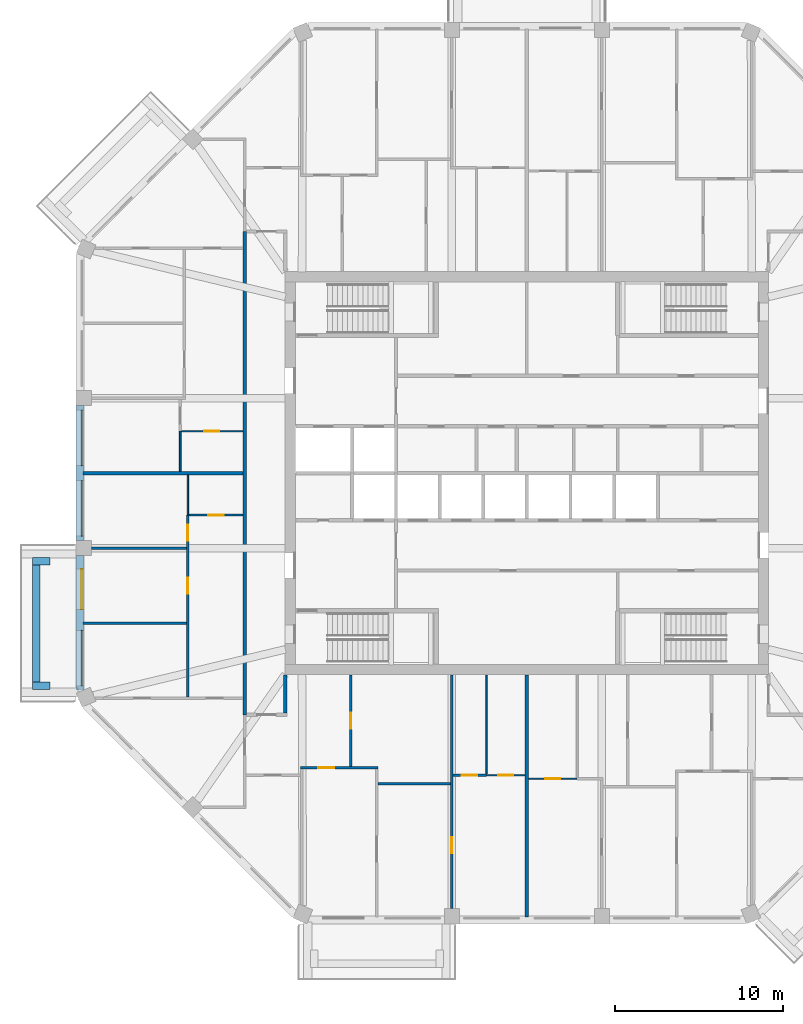
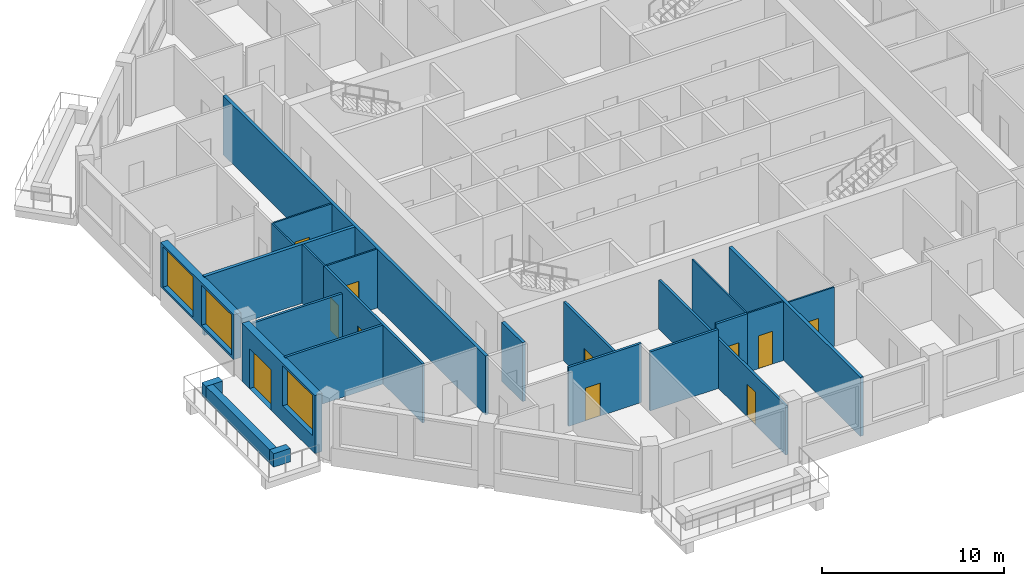
# One storey, part 3 of 11: 24 walls, 11 doors, 3 windows, 14 openings.
"""IFC4 building model written with IfcOpenShell, lengths in metres."""

from ifc_helpers import new_model, si_unit, direction, frame, frame_2d, origin, place, context, subcontext, project, spatial, rectangle, extrude, material, layer, layer_set, type_object, element, fill, save


model = new_model("IFC4")

# Units and contexts
model_context = context("Model", 3, precision=1e-05, world=origin(), true_north=direction((0.0, 1.0)))
body_context = subcontext(model_context, "Body", "Model", "MODEL_VIEW")
ifc_project = project(units=[si_unit("LENGTHUNIT", "METRE"), si_unit("AREAUNIT", "SQUARE_METRE"), si_unit("VOLUMEUNIT", "CUBIC_METRE"), si_unit("PLANEANGLEUNIT", "RADIAN"), si_unit("MASSUNIT", "GRAM", prefix="KILO")], contexts=[model_context])

# Site, building, storey
site_placement = place(None, origin())
site = spatial("IfcSite", under=ifc_project, at=site_placement, CompositionType="ELEMENT")
building_placement = place(site_placement, origin())
building = spatial("IfcBuilding", under=site, at=building_placement, Name="Msitu Wima Residences", CompositionType="ELEMENT")
storey_placement = place(building_placement, frame((0.0, 0.0, 234.89990234375)))
storey = spatial("IfcBuildingStorey", under=building, at=storey_placement, Name="L54", CompositionType="ELEMENT", Elevation=234.89990234375)

# Walls
ifc_material_1 = material(Name="Facing brick")
ifc_layer_1 = layer(ifc_material_1, 0.06494140625, Name="Facing brick")
ifc_material_2 = material(Name="Concrete C40/50", Category="concrete")
ifc_layer_2 = layer(ifc_material_2, 0.156005859375, Name="Concrete C40/50")
ifc_material_3 = material(Name="Waterproofing membrane")
ifc_layer_3 = layer(ifc_material_3, 0.00390625, Name="Waterproofing membrane")
ifc_material_4 = material(Name="Planting soil and planting")
ifc_layer_4 = layer(ifc_material_4, 0.22509765625, Name="Planting soil and planting")
ifc_layer_set_1 = layer_set([ifc_layer_1, ifc_layer_2, ifc_layer_3, ifc_layer_4], Name="Concrete C40/50")
wall_type_1 = type_object("IfcWallType", Name="Balcony planter PLANTER PL450", PredefinedType="USERDEFINED", material=ifc_layer_set_1)
wall_1_placement = place(storey_placement, frame((-29.22509765625, -5.468505859375, 0.0), z_axis=(0.0, 0.0, 1.0), x_axis=(0.0, -1.0, 0.0)))
element("IfcWall", 1, at=wall_1_placement, inside=storey, type_object=wall_type_1, Name="Balcony planter W2 L54", ObjectType="PLANTER", PredefinedType="USERDEFINED", context=body_context, shape_type="SweptSolid", body=[
    extrude(rectangle(XDim=6.9873046875, YDim=0.449951171875, at=frame_2d((3.49365234375, 0.0))), origin(), (0.0, 0.0, 1.0), 0.900146484375),
])
for number, where, z_axis, x_axis, name in (
    (2, (-28.39990234375, -5.24365234375, 0.0), (0.0, 0.0, 1.0), (-1.0, 0.0, 0.0), "Balcony planter W2 L54"),
    (3, (-28.39990234375, -12.680908203125, 0.0), (0.0, 0.0, 1.0), (-1.0, 0.0, 0.0), "Balcony planter W2 L54"),
):
    element("IfcWall", number, at=place(storey_placement, frame(where, z_axis=z_axis, x_axis=x_axis)), inside=storey, type_object=wall_type_1, Name=name, ObjectType="PLANTER", PredefinedType="USERDEFINED", context=body_context, shape_type="SweptSolid", body=[
        extrude(rectangle(XDim=1.050048828125, YDim=0.449951171875, at=frame_2d((0.52490234375, 0.0))), origin(), (0.0, 0.0, 1.0), 0.900146484375),
    ])

# Wall, openings, windows
ifc_material_5 = material(Name="Brick (red buff mix)", Category="masonry")
ifc_layer_5 = layer(ifc_material_5, 0.449951171875)
ifc_layer_set_2 = layer_set([ifc_layer_5], Name="Brick (red buff mix)")
wall_type_2 = type_object("IfcWallType", Name="Brick infill wall BW450", PredefinedType="SOLIDWALL", material=ifc_layer_set_2)
wall_2_placement = place(storey_placement, frame((-26.625, 4.0185546875, 0.900146484375), z_axis=(0.0, 0.0, 1.0), x_axis=(0.0, -1.0, 0.0)))
wall_2 = element("IfcWall", 4, at=wall_2_placement, inside=storey, type_object=wall_type_2, Name="Brick infill wall L54 W1", PredefinedType="SOLIDWALL", context=body_context, shape_type="SweptSolid", body=[
    extrude(rectangle(XDim=8.037109375, YDim=0.449951171875, at=frame_2d((4.0185546875, 0.0))), origin(), (0.0, 0.0, 1.0), 3.0),
])
opening_1_placement = place(wall_2_placement, frame((0.2685546875, 0.0, 0.14990234375)))
opening_1 = element("IfcOpeningElement", 5, at=opening_1_placement, cuts=wall_2, Name="Opening W52-54.031", PredefinedType="OPENING", context=body_context, shape_type="SweptSolid", body=[
    extrude(rectangle(XDim=3.300048828125, YDim=2.699951171875, at=frame_2d((1.64990234375, 1.35009765625))), frame((0.0, 0.23486328125, 0.0), z_axis=(0.0, -1.0, 0.0), x_axis=(1.0, 0.0, 0.0)), (0.0, 0.0, 1.0), 0.469970703125),
])
opening_2_placement = place(wall_2_placement, frame((4.46875, 0.0, 0.14990234375)))
opening_2 = element("IfcOpeningElement", 6, at=opening_2_placement, cuts=wall_2, Name="Opening W52-54.032", PredefinedType="OPENING", context=body_context, shape_type="SweptSolid", body=[
    extrude(rectangle(XDim=3.300048828125, YDim=2.699951171875, at=frame_2d((1.64990234375, 1.35009765625))), frame((0.0, 0.23486328125, 0.0), z_axis=(0.0, -1.0, 0.0), x_axis=(1.0, 0.0, 0.0)), (0.0, 0.0, 1.0), 0.469970703125),
])
ifc_material_6 = material(Name="Anodised aluminium, bronze finish, clear low-emissivity double glazing", Category="aluminium")
window_type = type_object("IfcWindowType", Name="Window W3300x2700", PartitioningType="DOUBLE_PANEL_VERTICAL", PredefinedType="WINDOW", material=ifc_material_6)
window_1_placement = place(opening_1_placement, origin())
window_1 = element("IfcWindow", 7, at=window_1_placement, inside=storey, type_object=window_type, Name="Window L54 W1.1", OverallHeight=2.699951171875, OverallWidth=3.300048828125, PartitioningType="SINGLE_PANEL", PredefinedType="WINDOW", context=body_context, shape_type="SweptSolid", body=[
    extrude(rectangle(XDim=3.300048828125, YDim=2.699951171875, at=frame_2d((1.64990234375, 1.35009765625))), frame((0.0, 0.135009765625, 0.0), z_axis=(0.0, -1.0, 0.0), x_axis=(1.0, 0.0, 0.0)), (0.0, 0.0, 1.0), 0.06005859375),
])
fill(opening_1, window_1)
window_2_placement = place(opening_2_placement, origin())
window_2 = element("IfcWindow", 8, at=window_2_placement, inside=storey, type_object=window_type, Name="Window L54 W1.2", OverallHeight=2.699951171875, OverallWidth=3.300048828125, PartitioningType="SINGLE_PANEL", PredefinedType="WINDOW", context=body_context, shape_type="SweptSolid", body=[
    extrude(rectangle(XDim=3.300048828125, YDim=2.699951171875, at=frame_2d((1.64990234375, 1.35009765625))), frame((0.0, 0.135009765625, 0.0), z_axis=(0.0, -1.0, 0.0), x_axis=(1.0, 0.0, 0.0)), (0.0, 0.0, 1.0), 0.06005859375),
])
fill(opening_2, window_2)

# Wall, openings, door, window
wall_3_placement = place(storey_placement, frame((-26.625, -4.918701171875, 0.0), z_axis=(0.0, 0.0, 1.0), x_axis=(0.0, -1.0, 0.0)))
wall_3 = element("IfcWall", 9, at=wall_3_placement, inside=storey, type_object=wall_type_2, Name="Brick infill wall L54 W2", PredefinedType="SOLIDWALL", context=body_context, shape_type="SweptSolid", body=[
    extrude(rectangle(XDim=8.0, YDim=0.449951171875, at=frame_2d((4.0, 0.0))), origin(), (0.0, 0.0, 1.0), 3.900146484375),
])
opening_3_placement = place(wall_3_placement, frame((0.800048828125, 0.0, 0.0)))
opening_3 = element("IfcOpeningElement", 10, at=opening_3_placement, cuts=wall_3, Name="Opening D52-54.007", PredefinedType="OPENING", context=body_context, shape_type="SweptSolid", body=[
    extrude(rectangle(XDim=2.39990234375, YDim=2.699951171875, at=frame_2d((1.199951171875, 1.35009765625))), frame((0.0, 0.23486328125, 0.0), z_axis=(0.0, -1.0, 0.0), x_axis=(1.0, 0.0, 0.0)), (0.0, 0.0, 1.0), 0.469970703125),
])
opening_4_placement = place(wall_3_placement, frame((4.4501953125, 0.0, 1.050048828125)))
opening_4 = element("IfcOpeningElement", 11, at=opening_4_placement, cuts=wall_3, Name="Opening W52-54.033", PredefinedType="OPENING", context=body_context, shape_type="SweptSolid", body=[
    extrude(rectangle(XDim=3.300048828125, YDim=2.699951171875, at=frame_2d((1.64990234375, 1.35009765625))), frame((0.0, 0.23486328125, 0.0), z_axis=(0.0, -1.0, 0.0), x_axis=(1.0, 0.0, 0.0)), (0.0, 0.0, 1.0), 0.469970703125),
])
door_type_1 = type_object("IfcDoorType", Name="Balcony door D2400x2700", OperationType="SLIDING_TO_LEFT", PredefinedType="DOOR", material=ifc_material_6)
door_1_placement = place(opening_3_placement, origin())
door_1 = element("IfcDoor", 12, at=door_1_placement, inside=storey, type_object=door_type_1, Name="Balcony door L54 W2", OperationType="SINGLE_SWING_LEFT", OverallHeight=2.699951171875, OverallWidth=2.39990234375, PredefinedType="DOOR", context=body_context, shape_type="SweptSolid", body=[
    extrude(rectangle(XDim=2.39990234375, YDim=2.699951171875, at=frame_2d((1.199951171875, 1.35009765625))), frame((0.0, 0.1298828125, 0.0), z_axis=(0.0, -1.0, 0.0), x_axis=(1.0, 0.0, 0.0)), (0.0, 0.0, 1.0), 0.050048828125),
])
fill(opening_3, door_1)
window_3_placement = place(opening_4_placement, origin())
window_3 = element("IfcWindow", 13, at=window_3_placement, inside=storey, type_object=window_type, Name="Window L54 W2.2", OverallHeight=2.699951171875, OverallWidth=3.300048828125, PartitioningType="SINGLE_PANEL", PredefinedType="WINDOW", context=body_context, shape_type="SweptSolid", body=[
    extrude(rectangle(XDim=3.300048828125, YDim=2.699951171875, at=frame_2d((1.64990234375, 1.35009765625))), frame((0.0, 0.135009765625, 0.0), z_axis=(0.0, -1.0, 0.0), x_axis=(1.0, 0.0, 0.0)), (0.0, 0.0, 1.0), 0.06005859375),
])
fill(opening_4, window_3)

# Walls
ifc_material_7 = material(Name="Plaster")
ifc_layer_6 = layer(ifc_material_7, 0.011962890625, Name="Plaster")
ifc_material_8 = material(Name="Concrete blockwork", Category="masonry")
ifc_layer_7 = layer(ifc_material_8, 0.176025390625, Name="Concrete blockwork")
ifc_layer_8 = layer(ifc_material_7, 0.011962890625, Name="Plaster")
ifc_layer_set_3 = layer_set([ifc_layer_6, ifc_layer_7, ifc_layer_8], Name="Concrete blockwork")
wall_type_3 = type_object("IfcWallType", Name="Corridor wall FW200", PredefinedType="PARTITIONING", material=ifc_layer_set_3)
wall_4_placement = place(storey_placement, frame((-16.800048828125, -14.39990234375, 0.0), z_axis=(0.0, 0.0, 1.0), x_axis=(0.0, 1.0, 0.0)))
element("IfcWall", 14, at=wall_4_placement, inside=storey, type_object=wall_type_3, Name="Corridor wall", PredefinedType="PARTITIONING", context=body_context, shape_type="SweptSolid", body=[
    extrude(rectangle(XDim=28.7998046875, YDim=0.199951171875, at=frame_2d((14.39990234375, 0.0))), origin(), (0.0, 0.0, 1.0), 3.9501953125),
])
wall_5_placement = place(storey_placement, frame((-14.39990234375, -14.300048828125, 0.0), z_axis=(0.0, 0.0, 1.0), x_axis=(0.0, 1.0, 0.0)))
element("IfcWall", 15, at=wall_5_placement, inside=storey, type_object=wall_type_3, Name="Corridor wall", PredefinedType="PARTITIONING", context=body_context, shape_type="SweptSolid", body=[
    extrude(rectangle(XDim=2.27001953125, YDim=0.199951171875, at=frame_2d((1.135009765625, 0.0))), origin(), (0.0, 0.0, 1.0), 3.9501953125),
])
ifc_layer_9 = layer(ifc_material_7, 0.011962890625, Name="Plaster")
ifc_layer_10 = layer(ifc_material_8, 0.1259765625, Name="Concrete blockwork")
ifc_layer_11 = layer(ifc_material_7, 0.011962890625, Name="Plaster")
ifc_layer_set_4 = layer_set([ifc_layer_9, ifc_layer_10, ifc_layer_11], Name="Concrete blockwork")
wall_type_4 = type_object("IfcWallType", Name="Partition PW150", PredefinedType="PARTITIONING", material=ifc_layer_set_4)
wall_6_placement = place(storey_placement, frame((-26.455078125, -8.937255859375, 0.0), z_axis=(0.0, 0.0, 1.0), x_axis=(1.0, 0.0, 0.0)))
element("IfcWall", 16, at=wall_6_placement, inside=storey, type_object=wall_type_4, Name="Partition", PredefinedType="PARTITIONING", context=body_context, shape_type="SweptSolid", body=[
    extrude(rectangle(XDim=6.18017578125, YDim=0.14990234375, at=frame_2d((3.090087890625, 0.0))), origin(), (0.0, 0.0, 1.0), 3.9501953125),
])
wall_7_placement = place(storey_placement, frame((-25.949951171875, -4.46875, 0.0), z_axis=(0.0, 0.0, 1.0), x_axis=(1.0, 0.0, 0.0)))
element("IfcWall", 17, at=wall_7_placement, inside=storey, type_object=wall_type_4, Name="Partition", PredefinedType="PARTITIONING", context=body_context, shape_type="SweptSolid", body=[
    extrude(rectangle(XDim=5.675048828125, YDim=0.14990234375, at=frame_2d((2.83740234375, 0.0))), origin(), (0.0, 0.0, 1.0), 3.35009765625),
])

# Wall, openings, doors
wall_8_placement = place(storey_placement, frame((-20.199951171875, -13.330810546875, 0.0), z_axis=(0.0, 0.0, 1.0), x_axis=(0.0, 1.0, 0.0)))
wall_8 = element("IfcWall", 18, at=wall_8_placement, inside=storey, type_object=wall_type_4, Name="Partition", PredefinedType="PARTITIONING", context=body_context, shape_type="SweptSolid", body=[
    extrude(rectangle(XDim=10.830810546875, YDim=0.14990234375, at=frame_2d((5.41552734375, 0.0))), origin(), (0.0, 0.0, 1.0), 3.9501953125),
])
opening_5_placement = place(wall_8_placement, frame((9.300048828125, 0.0, 0.0)))
opening_5 = element("IfcOpeningElement", 19, at=opening_5_placement, cuts=wall_8, Name="Opening D52-54.048", PredefinedType="OPENING", context=body_context, shape_type="SweptSolid", body=[
    extrude(rectangle(XDim=0.949951171875, YDim=2.199951171875, at=frame_2d((0.47509765625, 1.10009765625))), frame((0.0, 0.0849609375, 0.0), z_axis=(0.0, -1.0, 0.0), x_axis=(1.0, 0.0, 0.0)), (0.0, 0.0, 1.0), 0.169921875),
])
opening_6_placement = place(wall_8_placement, frame((6.14990234375, 0.0, 0.0)))
opening_6 = element("IfcOpeningElement", 20, at=opening_6_placement, cuts=wall_8, Name="Opening D52-54.049", PredefinedType="OPENING", context=body_context, shape_type="SweptSolid", body=[
    extrude(rectangle(XDim=0.949951171875, YDim=2.199951171875, at=frame_2d((0.47509765625, 1.10009765625))), frame((0.0, 0.0849609375, 0.0), z_axis=(0.0, -1.0, 0.0), x_axis=(1.0, 0.0, 0.0)), (0.0, 0.0, 1.0), 0.169921875),
])
ifc_material_9 = material(Name="Timber flush door", Category="wood")
door_type_2 = type_object("IfcDoorType", Name="Room door D12 950x2200", OperationType="SINGLE_SWING_LEFT", PredefinedType="DOOR", material=ifc_material_9)
door_2_placement = place(opening_5_placement, origin())
door_2 = element("IfcDoor", 21, at=door_2_placement, inside=storey, type_object=door_type_2, Name="Room door", OperationType="SINGLE_SWING_LEFT", OverallHeight=2.199951171875, OverallWidth=0.949951171875, PredefinedType="DOOR", context=body_context, shape_type="SweptSolid", body=[
    extrude(rectangle(XDim=0.949951171875, YDim=2.199951171875, at=frame_2d((0.47509765625, 1.10009765625))), frame((0.0, 0.02490234375, 0.0), z_axis=(0.0, -1.0, 0.0), x_axis=(1.0, 0.0, 0.0)), (0.0, 0.0, 1.0), 0.050048828125),
])
fill(opening_5, door_2)
door_3_placement = place(opening_6_placement, origin())
door_3 = element("IfcDoor", 22, at=door_3_placement, inside=storey, type_object=door_type_2, Name="Room door", OperationType="SINGLE_SWING_LEFT", OverallHeight=2.199951171875, OverallWidth=0.949951171875, PredefinedType="DOOR", context=body_context, shape_type="SweptSolid", body=[
    extrude(rectangle(XDim=0.949951171875, YDim=2.199951171875, at=frame_2d((0.47509765625, 1.10009765625))), frame((0.0, 0.02490234375, 0.0), z_axis=(0.0, -1.0, 0.0), x_axis=(1.0, 0.0, 0.0)), (0.0, 0.0, 1.0), 0.050048828125),
])
fill(opening_6, door_3)

# Wall, opening, door
wall_9_placement = place(storey_placement, frame((-13.48095703125, -17.550048828125, 0.0), z_axis=(0.0, 0.0, 1.0), x_axis=(1.0, 0.0, 0.0)))
wall_9 = element("IfcWall", 23, at=wall_9_placement, inside=storey, type_object=wall_type_4, Name="Partition", PredefinedType="PARTITIONING", context=body_context, shape_type="SweptSolid", body=[
    extrude(rectangle(XDim=4.61865234375, YDim=0.14990234375, at=frame_2d((2.309326171875, 0.0))), origin(), (0.0, 0.0, 1.0), 3.9501953125),
])
opening_7_placement = place(wall_9_placement, frame((1.050048828125, 0.0, 0.0)))
opening_7 = element("IfcOpeningElement", 24, at=opening_7_placement, cuts=wall_9, Name="Opening D52-54.043", PredefinedType="OPENING", context=body_context, shape_type="SweptSolid", body=[
    extrude(rectangle(XDim=0.949951171875, YDim=2.199951171875, at=frame_2d((0.47509765625, 1.10009765625))), frame((0.0, 0.0849609375, 0.0), z_axis=(0.0, -1.0, 0.0), x_axis=(1.0, 0.0, 0.0)), (0.0, 0.0, 1.0), 0.169921875),
])
door_4_placement = place(opening_7_placement, origin())
door_4 = element("IfcDoor", 25, at=door_4_placement, inside=storey, type_object=door_type_2, Name="Room door", OperationType="SINGLE_SWING_RIGHT", OverallHeight=2.199951171875, OverallWidth=0.949951171875, PredefinedType="DOOR", context=body_context, shape_type="SweptSolid", body=[
    extrude(rectangle(XDim=0.949951171875, YDim=2.199951171875, at=frame_2d((0.47509765625, 1.10009765625))), frame((0.0, 0.02490234375, 0.0), z_axis=(0.0, -1.0, 0.0), x_axis=(1.0, 0.0, 0.0)), (0.0, 0.0, 1.0), 0.050048828125),
])
fill(opening_7, door_4)

wall_10_placement = place(storey_placement, frame((-10.5, -17.47509765625, 0.0), z_axis=(0.0, 0.0, 1.0), x_axis=(0.0, 1.0, 0.0)))
wall_10 = element("IfcWall", 26, at=wall_10_placement, inside=storey, type_object=wall_type_4, Name="Partition", PredefinedType="PARTITIONING", context=body_context, shape_type="SweptSolid", body=[
    extrude(rectangle(XDim=5.445068359375, YDim=0.14990234375, at=frame_2d((2.72265625, 0.0))), origin(), (0.0, 0.0, 1.0), 3.9501953125),
])
opening_8_placement = place(wall_10_placement, frame((2.25, 0.0, 0.0)))
opening_8 = element("IfcOpeningElement", 27, at=opening_8_placement, cuts=wall_10, Name="Opening D52-54.038", PredefinedType="OPENING", context=body_context, shape_type="SweptSolid", body=[
    extrude(rectangle(XDim=0.949951171875, YDim=2.199951171875, at=frame_2d((0.47509765625, 1.10009765625))), frame((0.0, 0.0849609375, 0.0), z_axis=(0.0, -1.0, 0.0), x_axis=(1.0, 0.0, 0.0)), (0.0, 0.0, 1.0), 0.169921875),
])
door_5_placement = place(opening_8_placement, origin())
door_5 = element("IfcDoor", 28, at=door_5_placement, inside=storey, type_object=door_type_2, Name="Room door", OperationType="SINGLE_SWING_RIGHT", OverallHeight=2.199951171875, OverallWidth=0.949951171875, PredefinedType="DOOR", context=body_context, shape_type="SweptSolid", body=[
    extrude(rectangle(XDim=0.949951171875, YDim=2.199951171875, at=frame_2d((0.47509765625, 1.10009765625))), frame((0.0, 0.02490234375, 0.0), z_axis=(0.0, -1.0, 0.0), x_axis=(1.0, 0.0, 0.0)), (0.0, 0.0, 1.0), 0.050048828125),
])
fill(opening_8, door_5)

# Wall
wall_11_placement = place(storey_placement, frame((-8.8623046875, -18.5, 0.0), z_axis=(0.0, 0.0, 1.0), x_axis=(1.0, 0.0, 0.0)))
element("IfcWall", 29, at=wall_11_placement, inside=storey, type_object=wall_type_4, Name="Partition", PredefinedType="PARTITIONING", context=body_context, shape_type="SweptSolid", body=[
    extrude(rectangle(XDim=4.318603515625, YDim=0.14990234375, at=frame_2d((2.1591796875, 0.0))), origin(), (0.0, 0.0, 1.0), 3.9501953125),
])

# Wall, opening, door
wall_12_placement = place(storey_placement, frame((-4.46875, -25.949951171875, 0.0), z_axis=(0.0, 0.0, 1.0), x_axis=(0.0, 1.0, 0.0)))
wall_12 = element("IfcWall", 30, at=wall_12_placement, inside=storey, type_object=wall_type_4, Name="Partition", PredefinedType="PARTITIONING", context=body_context, shape_type="SweptSolid", body=[
    extrude(rectangle(XDim=13.919921875, YDim=0.14990234375, at=frame_2d((6.9599609375, 0.0))), origin(), (0.0, 0.0, 1.0), 3.300048828125),
])
opening_9_placement = place(wall_12_placement, frame((3.300048828125, 0.0, 0.0)))
opening_9 = element("IfcOpeningElement", 31, at=opening_9_placement, cuts=wall_12, Name="Opening D52-54.039", PredefinedType="OPENING", context=body_context, shape_type="SweptSolid", body=[
    extrude(rectangle(XDim=0.949951171875, YDim=2.199951171875, at=frame_2d((0.47509765625, 1.10009765625))), frame((0.0, 0.0849609375, 0.0), z_axis=(0.0, -1.0, 0.0), x_axis=(1.0, 0.0, 0.0)), (0.0, 0.0, 1.0), 0.169921875),
])
door_6_placement = place(opening_9_placement, origin())
door_6 = element("IfcDoor", 32, at=door_6_placement, inside=storey, type_object=door_type_2, Name="Room door", OperationType="SINGLE_SWING_RIGHT", OverallHeight=2.199951171875, OverallWidth=0.949951171875, PredefinedType="DOOR", context=body_context, shape_type="SweptSolid", body=[
    extrude(rectangle(XDim=0.949951171875, YDim=2.199951171875, at=frame_2d((0.47509765625, 1.10009765625))), frame((0.0, 0.02490234375, 0.0), z_axis=(0.0, -1.0, 0.0), x_axis=(1.0, 0.0, 0.0)), (0.0, 0.0, 1.0), 0.050048828125),
])
fill(opening_9, door_6)

wall_13_placement = place(storey_placement, frame((-4.3935546875, -18.0, 0.0), z_axis=(0.0, 0.0, 1.0), x_axis=(1.0, 0.0, 0.0)))
wall_13 = element("IfcWall", 33, at=wall_13_placement, inside=storey, type_object=wall_type_4, Name="Partition", PredefinedType="PARTITIONING", context=body_context, shape_type="SweptSolid", body=[
    extrude(rectangle(XDim=1.99365234375, YDim=0.14990234375, at=frame_2d((0.996826171875, 0.0))), origin(), (0.0, 0.0, 1.0), 3.9501953125),
])
opening_10_placement = place(wall_13_placement, frame((0.5, 0.0, 0.0)))
opening_10 = element("IfcOpeningElement", 34, at=opening_10_placement, cuts=wall_13, Name="Opening D52-54.042", PredefinedType="OPENING", context=body_context, shape_type="SweptSolid", body=[
    extrude(rectangle(XDim=0.949951171875, YDim=2.199951171875, at=frame_2d((0.47509765625, 1.10009765625))), frame((0.0, 0.0849609375, 0.0), z_axis=(0.0, -1.0, 0.0), x_axis=(1.0, 0.0, 0.0)), (0.0, 0.0, 1.0), 0.169921875),
])
door_7_placement = place(opening_10_placement, origin())
door_7 = element("IfcDoor", 35, at=door_7_placement, inside=storey, type_object=door_type_2, Name="Room door", OperationType="SINGLE_SWING_RIGHT", OverallHeight=2.199951171875, OverallWidth=0.949951171875, PredefinedType="DOOR", context=body_context, shape_type="SweptSolid", body=[
    extrude(rectangle(XDim=0.949951171875, YDim=2.199951171875, at=frame_2d((0.47509765625, 1.10009765625))), frame((0.0, 0.02490234375, 0.0), z_axis=(0.0, -1.0, 0.0), x_axis=(1.0, 0.0, 0.0)), (0.0, 0.0, 1.0), 0.050048828125),
])
fill(opening_10, door_7)

# Walls
ifc_layer_12 = layer(ifc_material_7, 0.011962890625, Name="Plaster")
ifc_material_10 = material(Name="Dense concrete blockwork", Category="masonry")
ifc_layer_13 = layer(ifc_material_10, 0.176025390625, Name="Dense concrete blockwork")
ifc_layer_14 = layer(ifc_material_7, 0.011962890625, Name="Plaster")
ifc_layer_set_5 = layer_set([ifc_layer_12, ifc_layer_13, ifc_layer_14], Name="Dense concrete blockwork")
wall_type_5 = type_object("IfcWallType", Name="Party wall PW200", PredefinedType="PARTITIONING", material=ifc_layer_set_5)
wall_14_placement = place(storey_placement, frame((-26.455078125, 0.0, 0.0), z_axis=(0.0, 0.0, 1.0), x_axis=(1.0, 0.0, 0.0)))
element("IfcWall", 36, at=wall_14_placement, inside=storey, type_object=wall_type_5, Name="Party wall", PredefinedType="PARTITIONING", context=body_context, shape_type="SweptSolid", body=[
    extrude(rectangle(XDim=9.55517578125, YDim=0.199951171875, at=frame_2d((4.777587890625, 0.0))), origin(), (0.0, 0.0, 1.0), 3.9501953125),
])
wall_15_placement = place(storey_placement, frame((0.0, -26.455078125, 0.0), z_axis=(0.0, 0.0, 1.0), x_axis=(0.0, 1.0, 0.0)))
element("IfcWall", 37, at=wall_15_placement, inside=storey, type_object=wall_type_5, Name="Party wall", PredefinedType="PARTITIONING", context=body_context, shape_type="SweptSolid", body=[
    extrude(rectangle(XDim=14.425048828125, YDim=0.199951171875, at=frame_2d((7.21240234375, 0.0))), origin(), (0.0, 0.0, 1.0), 3.9501953125),
])
ifc_material_11 = material(Name="Ceramic tiles")
ifc_layer_15 = layer(ifc_material_11, 0.008056640625, Name="Ceramic tiles")
ifc_material_12 = material(Name="Moisture-resistant board")
ifc_layer_16 = layer(ifc_material_12, 0.012451171875, Name="Moisture-resistant board")
ifc_material_13 = material(Name="Light-gauge stud framing with mineral wool")
ifc_layer_17 = layer(ifc_material_13, 0.06689453125, Name="Light-gauge stud framing with mineral wool")
ifc_layer_18 = layer(ifc_material_12, 0.012451171875, Name="Moisture-resistant board")
ifc_layer_set_6 = layer_set([ifc_layer_15, ifc_layer_16, ifc_layer_17, ifc_layer_18], Name="Light-gauge stud framing with mineral wool")
wall_type_6 = type_object("IfcWallType", Name="Wet wall PW100", PredefinedType="PARTITIONING", material=ifc_layer_set_6)
wall_16_placement = place(storey_placement, frame((-20.64990234375, 0.10009765625, 0.0), z_axis=(0.0, 0.0, 1.0), x_axis=(0.0, 1.0, 0.0)))
element("IfcWall", 38, at=wall_16_placement, inside=storey, type_object=wall_type_6, Name="Wet wall", PredefinedType="PARTITIONING", context=body_context, shape_type="SweptSolid", body=[
    extrude(rectangle(XDim=2.39990234375, YDim=0.10009765625, at=frame_2d((1.199951171875, 0.0))), origin(), (0.0, 0.0, 1.0), 3.9501953125),
])

# Wall, opening, door
wall_17_placement = place(storey_placement, frame((-20.574951171875, 2.5, 0.0), z_axis=(0.0, 0.0, 1.0), x_axis=(1.0, 0.0, 0.0)))
wall_17 = element("IfcWall", 39, at=wall_17_placement, inside=storey, type_object=wall_type_6, Name="Wet wall", PredefinedType="PARTITIONING", context=body_context, shape_type="SweptSolid", body=[
    extrude(rectangle(XDim=3.675048828125, YDim=0.10009765625, at=frame_2d((1.83740234375, 0.0))), origin(), (0.0, 0.0, 1.0), 3.9501953125),
])
opening_11_placement = place(wall_17_placement, frame((1.35009765625, 0.0, 0.0)))
opening_11 = element("IfcOpeningElement", 40, at=opening_11_placement, cuts=wall_17, Name="Opening D52-54.026", PredefinedType="OPENING", context=body_context, shape_type="SweptSolid", body=[
    extrude(rectangle(XDim=0.89990234375, YDim=2.199951171875, at=frame_2d((0.449951171875, 1.10009765625))), frame((0.0, 0.06005859375, 0.0), z_axis=(0.0, -1.0, 0.0), x_axis=(1.0, 0.0, 0.0)), (0.0, 0.0, 1.0), 0.1201171875),
])
ifc_material_14 = material(Name="Timber flush door, moisture resistant", Category="wood")
door_type_3 = type_object("IfcDoorType", Name="Bathroom door D03 900x2200", OperationType="SINGLE_SWING_LEFT", PredefinedType="DOOR", material=ifc_material_14)
door_8_placement = place(opening_11_placement, origin())
door_8 = element("IfcDoor", 41, at=door_8_placement, inside=storey, type_object=door_type_3, Name="Bathroom door", OperationType="SINGLE_SWING_RIGHT", OverallHeight=2.199951171875, OverallWidth=0.89990234375, PredefinedType="DOOR", context=body_context, shape_type="SweptSolid", body=[
    extrude(rectangle(XDim=0.89990234375, YDim=2.199951171875, at=frame_2d((0.449951171875, 1.10009765625))), frame((0.0, 0.02490234375, 0.0), z_axis=(0.0, -1.0, 0.0), x_axis=(1.0, 0.0, 0.0)), (0.0, 0.0, 1.0), 0.050048828125),
])
fill(opening_11, door_8)

# Wall
wall_18_placement = place(storey_placement, frame((-20.199951171875, -2.5, 0.0), z_axis=(0.0, 0.0, 1.0), x_axis=(0.0, 1.0, 0.0)))
element("IfcWall", 42, at=wall_18_placement, inside=storey, type_object=wall_type_6, Name="Wet wall", PredefinedType="PARTITIONING", context=body_context, shape_type="SweptSolid", body=[
    extrude(rectangle(XDim=2.39990234375, YDim=0.10009765625, at=frame_2d((1.199951171875, 0.0))), origin(), (0.0, 0.0, 1.0), 3.9501953125),
])

# Wall, opening, door
wall_19_placement = place(storey_placement, frame((-20.125, -2.5, 0.0), z_axis=(0.0, 0.0, 1.0), x_axis=(1.0, 0.0, 0.0)))
wall_19 = element("IfcWall", 43, at=wall_19_placement, inside=storey, type_object=wall_type_6, Name="Wet wall", PredefinedType="PARTITIONING", context=body_context, shape_type="SweptSolid", body=[
    extrude(rectangle(XDim=3.22509765625, YDim=0.10009765625, at=frame_2d((1.612548828125, 0.0))), origin(), (0.0, 0.0, 1.0), 3.9501953125),
])
opening_12_placement = place(wall_19_placement, frame((1.14990234375, 0.0, 0.0)))
opening_12 = element("IfcOpeningElement", 44, at=opening_12_placement, cuts=wall_19, Name="Opening D52-54.040", PredefinedType="OPENING", context=body_context, shape_type="SweptSolid", body=[
    extrude(rectangle(XDim=0.89990234375, YDim=2.199951171875, at=frame_2d((0.449951171875, 1.10009765625))), frame((0.0, 0.06005859375, 0.0), z_axis=(0.0, -1.0, 0.0), x_axis=(1.0, 0.0, 0.0)), (0.0, 0.0, 1.0), 0.1201171875),
])
door_9_placement = place(opening_12_placement, origin())
door_9 = element("IfcDoor", 45, at=door_9_placement, inside=storey, type_object=door_type_3, Name="Bathroom door", OperationType="SINGLE_SWING_LEFT", OverallHeight=2.199951171875, OverallWidth=0.89990234375, PredefinedType="DOOR", context=body_context, shape_type="SweptSolid", body=[
    extrude(rectangle(XDim=0.89990234375, YDim=2.199951171875, at=frame_2d((0.449951171875, 1.10009765625))), frame((0.0, 0.02490234375, 0.0), z_axis=(0.0, -1.0, 0.0), x_axis=(1.0, 0.0, 0.0)), (0.0, 0.0, 1.0), 0.050048828125),
])
fill(opening_12, door_9)

# Wall
wall_20_placement = place(storey_placement, frame((-2.39990234375, -17.925048828125, 0.0), z_axis=(0.0, 0.0, 1.0), x_axis=(0.0, 1.0, 0.0)))
element("IfcWall", 46, at=wall_20_placement, inside=storey, type_object=wall_type_6, Name="Wet wall", PredefinedType="PARTITIONING", context=body_context, shape_type="SweptSolid", body=[
    extrude(rectangle(XDim=5.89501953125, YDim=0.10009765625, at=frame_2d((2.947509765625, 0.0))), origin(), (0.0, 0.0, 1.0), 3.9501953125),
])

# Wall, opening, door
wall_21_placement = place(storey_placement, frame((-2.39990234375, -18.0, 0.0), z_axis=(0.0, 0.0, 1.0), x_axis=(1.0, 0.0, 0.0)))
wall_21 = element("IfcWall", 47, at=wall_21_placement, inside=storey, type_object=wall_type_6, Name="Wet wall", PredefinedType="PARTITIONING", context=body_context, shape_type="SweptSolid", body=[
    extrude(rectangle(XDim=2.2998046875, YDim=0.10009765625, at=frame_2d((1.14990234375, 0.0))), origin(), (0.0, 0.0, 1.0), 3.9501953125),
])
opening_13_placement = place(wall_21_placement, frame((0.699951171875, 0.0, 0.0)))
opening_13 = element("IfcOpeningElement", 48, at=opening_13_placement, cuts=wall_21, Name="Opening D52-54.041", PredefinedType="OPENING", context=body_context, shape_type="SweptSolid", body=[
    extrude(rectangle(XDim=0.89990234375, YDim=2.199951171875, at=frame_2d((0.449951171875, 1.10009765625))), frame((0.0, 0.06005859375, 0.0), z_axis=(0.0, -1.0, 0.0), x_axis=(1.0, 0.0, 0.0)), (0.0, 0.0, 1.0), 0.1201171875),
])
door_10_placement = place(opening_13_placement, origin())
door_10 = element("IfcDoor", 49, at=door_10_placement, inside=storey, type_object=door_type_3, Name="Bathroom door", OperationType="SINGLE_SWING_LEFT", OverallHeight=2.199951171875, OverallWidth=0.89990234375, PredefinedType="DOOR", context=body_context, shape_type="SweptSolid", body=[
    extrude(rectangle(XDim=0.89990234375, YDim=2.199951171875, at=frame_2d((0.449951171875, 1.10009765625))), frame((0.0, 0.02490234375, 0.0), z_axis=(0.0, -1.0, 0.0), x_axis=(1.0, 0.0, 0.0)), (0.0, 0.0, 1.0), 0.050048828125),
])
fill(opening_13, door_10)

wall_22_placement = place(storey_placement, frame((0.10009765625, -18.199951171875, 0.0), z_axis=(0.0, 0.0, 1.0), x_axis=(1.0, 0.0, 0.0)))
wall_22 = element("IfcWall", 50, at=wall_22_placement, inside=storey, type_object=wall_type_6, Name="Wet wall", PredefinedType="PARTITIONING", context=body_context, shape_type="SweptSolid", body=[
    extrude(rectangle(XDim=2.89990234375, YDim=0.10009765625, at=frame_2d((1.449951171875, 0.0))), origin(), (0.0, 0.0, 1.0), 3.9501953125),
])
opening_14_placement = place(wall_22_placement, frame((1.0, 0.0, 0.0)))
opening_14 = element("IfcOpeningElement", 51, at=opening_14_placement, cuts=wall_22, Name="Opening D52-54.056", PredefinedType="OPENING", context=body_context, shape_type="SweptSolid", body=[
    extrude(rectangle(XDim=0.89990234375, YDim=2.199951171875, at=frame_2d((0.449951171875, 1.10009765625))), frame((0.0, 0.06005859375, 0.0), z_axis=(0.0, -1.0, 0.0), x_axis=(1.0, 0.0, 0.0)), (0.0, 0.0, 1.0), 0.1201171875),
])
door_11_placement = place(opening_14_placement, origin())
door_11 = element("IfcDoor", 52, at=door_11_placement, inside=storey, type_object=door_type_3, Name="Bathroom door", OperationType="SINGLE_SWING_RIGHT", OverallHeight=2.199951171875, OverallWidth=0.89990234375, PredefinedType="DOOR", context=body_context, shape_type="SweptSolid", body=[
    extrude(rectangle(XDim=0.89990234375, YDim=2.199951171875, at=frame_2d((0.449951171875, 1.10009765625))), frame((0.0, 0.02490234375, 0.0), z_axis=(0.0, -1.0, 0.0), x_axis=(1.0, 0.0, 0.0)), (0.0, 0.0, 1.0), 0.050048828125),
])
fill(opening_14, door_11)

save(model, "model.ifc")
